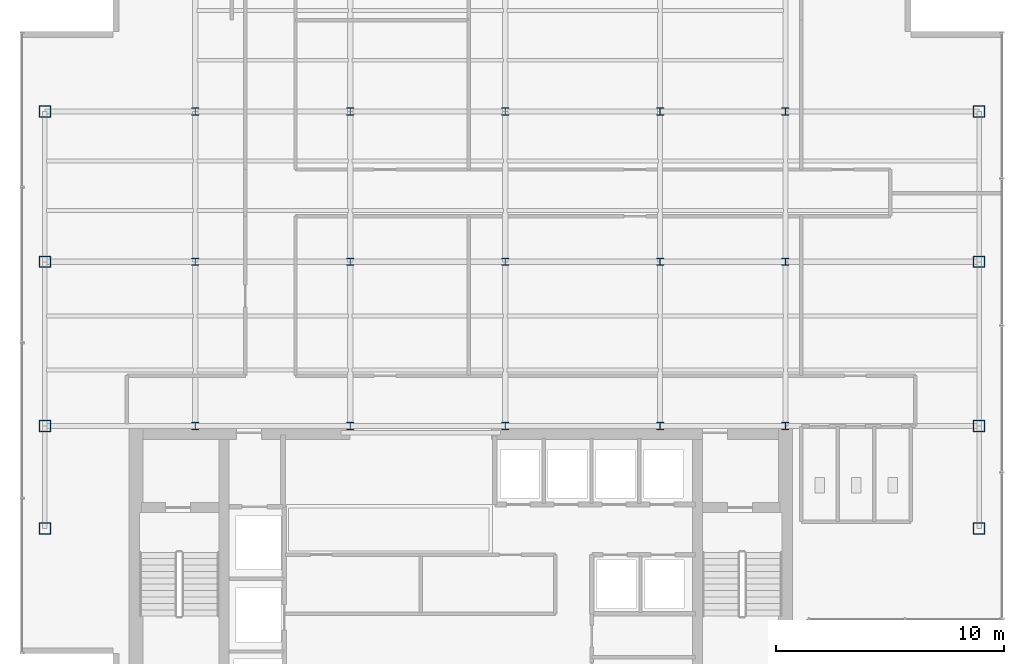
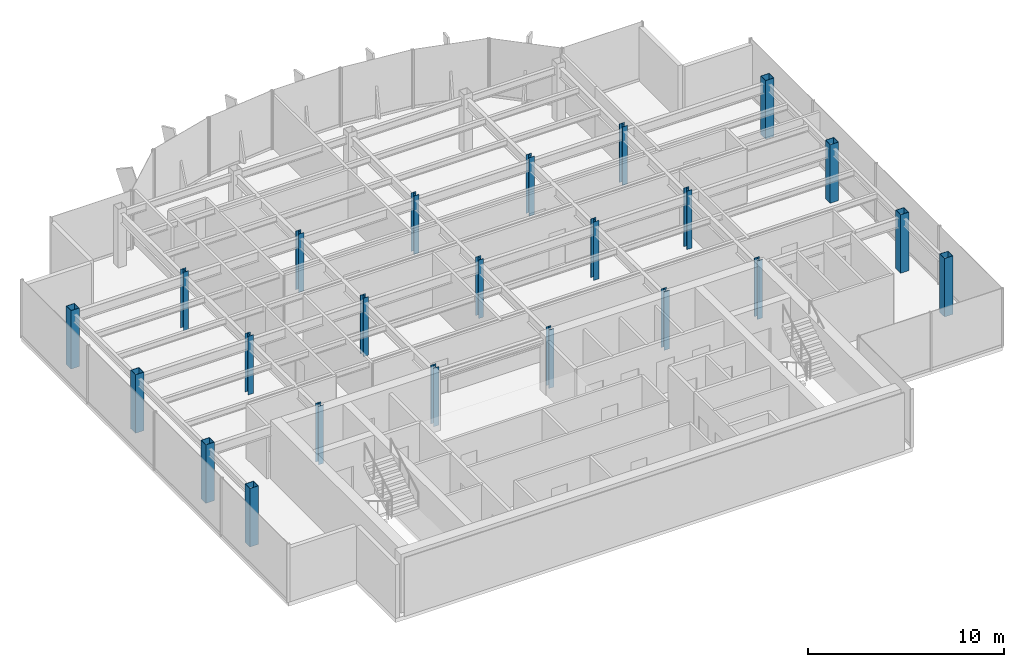
# One storey, part 1 of 22: 23 columns.
"""IFC4 building model written with IfcOpenShell, lengths in metres."""

from ifc_helpers import new_model, si_unit, derived_unit, direction, frame, origin, origin_2d, place, context, subcontext, project, spatial, hollow_rectangle, i_section, extrude, source, transform, mapped, material, material_profile, profile_set, type_object, element, save


model = new_model("IFC4")

# Units and contexts
model_context = context("Model", 3, precision=1e-05, world=origin(), true_north=direction((0.0, 1.0)))
body_context = subcontext(model_context, "Body", "Model", "MODEL_VIEW")
ifc_project = project(units=[si_unit("LENGTHUNIT", "METRE"), si_unit("AREAUNIT", "SQUARE_METRE"), si_unit("VOLUMEUNIT", "CUBIC_METRE"), si_unit("PLANEANGLEUNIT", "RADIAN"), si_unit("MASSUNIT", "GRAM", prefix="KILO"), derived_unit("THERMALTRANSMITTANCEUNIT", [(si_unit("POWERUNIT", "WATT"), 1), (si_unit("LENGTHUNIT", "METRE"), -2), (si_unit("THERMODYNAMICTEMPERATUREUNIT", "KELVIN"), -1)])], contexts=[model_context])

# Site, building, storey
site_placement = place(None, origin())
site = spatial("IfcSite", under=ifc_project, at=site_placement, CompositionType="ELEMENT")
building_placement = place(site_placement, origin())
building = spatial("IfcBuilding", under=site, at=building_placement, Name="Skarnbrae Concourse Arena and Tower", CompositionType="ELEMENT")
storey_placement = place(building_placement, frame((0.0, 0.0, 232.39990234375)))
storey = spatial("IfcBuildingStorey", under=building, at=storey_placement, Name="L60", CompositionType="ELEMENT", Elevation=232.39990234375)

# Columns
ifc_material = material(Name="Steel CSA G40.21 350W", Category="steel")
ifc_material_profile_1 = material_profile(ifc_material, hollow_rectangle(XDim=0.5, YDim=0.5, WallThickness=0.02197265625, at=origin_2d()), Name="HSS500X500X22.0")
ifc_profile_set_1 = profile_set([ifc_material_profile_1], Name="Steel CSA G40.21 350W")
column_type_1 = type_object("IfcColumnType", Name="COL-TUBE-HSS500", PredefinedType="COLUMN", material=ifc_profile_set_1)
shared_shape_1 = source(origin(), body_context, "Body", "SweptSolid", [
    extrude(hollow_rectangle(XDim=0.5, YDim=0.5, WallThickness=0.02197265625, at=origin_2d()), origin(), (0.0, 0.0, 1.0), 3.650146484375),
])
for number, where, z_axis, x_axis, name in (
    (1, (1.0, 9.5, 0.0), (0.0, 0.0, 1.0), (1.0, 0.0, 0.0), "L60 Tower column PC_01_01"),
    (2, (1.0, 14.0, 0.0), (0.0, 0.0, 1.0), (1.0, 0.0, 0.0), "L60 Tower column PC_01_02"),
    (3, (1.0, 21.199951171875, 0.0), (0.0, 0.0, 1.0), (1.0, 0.0, 0.0), "L60 Tower column PC_01_03"),
    (4, (1.0, 27.800048828125, 0.0), (0.0, 0.0, 1.0), (1.0, 0.0, 0.0), "L60 Tower column PC_01_04"),
    (5, (42.0, 9.5, 0.0), (0.0, 0.0, 1.0), (1.0, 0.0, 0.0), "L60 Tower column PC_07_01"),
    (6, (42.0, 14.0, 0.0), (0.0, 0.0, 1.0), (1.0, 0.0, 0.0), "L60 Tower column PC_07_02"),
    (7, (42.0, 21.199951171875, 0.0), (0.0, 0.0, 1.0), (1.0, 0.0, 0.0), "L60 Tower column PC_07_03"),
    (8, (42.0, 27.800048828125, 0.0), (0.0, 0.0, 1.0), (1.0, 0.0, 0.0), "L60 Tower column PC_07_04"),
):
    element("IfcColumn", number, at=place(storey_placement, frame(where, z_axis=z_axis, x_axis=x_axis)), inside=storey, type_object=column_type_1, Name=name, PredefinedType="COLUMN", context=body_context, shape_type="MappedRepresentation", body=[
        mapped(shared_shape_1, transform((0.0, 0.0, 0.0))),
    ])
ifc_material_profile_2 = material_profile(ifc_material, i_section(OverallWidth=0.30908203125, OverallDepth=0.322998046875, WebThickness=0.013916015625, FlangeThickness=0.02294921875, at=origin_2d()), Name="W310X143")
ifc_profile_set_2 = profile_set([ifc_material_profile_2], Name="Steel CSA G40.21 350W")
column_type_2 = type_object("IfcColumnType", Name="COL-INT-W310X143", PredefinedType="COLUMN", material=ifc_profile_set_2)
shared_shape_2 = source(origin(), body_context, "Body", "SweptSolid", [
    extrude(i_section(OverallWidth=0.30908203125, OverallDepth=0.322998046875, WebThickness=0.013916015625, FlangeThickness=0.02294921875, at=origin_2d()), origin(), (0.0, 0.0, 1.0), 3.650146484375),
])
for number, where, z_axis, x_axis, name in (
    (9, (7.60009765625, 14.0, 0.0), (0.0, 0.0, 1.0), (1.0, 0.0, 0.0), "L60 Tower column IC_02_02"),
    (10, (7.60009765625, 21.199951171875, 0.0), (0.0, 0.0, 1.0), (1.0, 0.0, 0.0), "L60 Tower column IC_02_03"),
    (11, (7.60009765625, 27.800048828125, 0.0), (0.0, 0.0, 1.0), (1.0, 0.0, 0.0), "L60 Tower column IC_02_04"),
    (12, (14.39990234375, 14.0, 0.0), (0.0, 0.0, 1.0), (1.0, 0.0, 0.0), "L60 Tower column IC_03_02"),
    (13, (14.39990234375, 21.199951171875, 0.0), (0.0, 0.0, 1.0), (1.0, 0.0, 0.0), "L60 Tower column IC_03_03"),
    (14, (14.39990234375, 27.800048828125, 0.0), (0.0, 0.0, 1.0), (1.0, 0.0, 0.0), "L60 Tower column IC_03_04"),
    (15, (21.199951171875, 14.0, 0.0), (0.0, 0.0, 1.0), (1.0, 0.0, 0.0), "L60 Tower column IC_04_02"),
    (16, (21.199951171875, 21.199951171875, 0.0), (0.0, 0.0, 1.0), (1.0, 0.0, 0.0), "L60 Tower column IC_04_03"),
    (17, (21.199951171875, 27.800048828125, 0.0), (0.0, 0.0, 1.0), (1.0, 0.0, 0.0), "L60 Tower column IC_04_04"),
    (18, (28.0, 14.0, 0.0), (0.0, 0.0, 1.0), (1.0, 0.0, 0.0), "L60 Tower column IC_05_02"),
    (19, (28.0, 21.199951171875, 0.0), (0.0, 0.0, 1.0), (1.0, 0.0, 0.0), "L60 Tower column IC_05_03"),
    (20, (28.0, 27.800048828125, 0.0), (0.0, 0.0, 1.0), (1.0, 0.0, 0.0), "L60 Tower column IC_05_04"),
    (21, (33.5, 14.0, 0.0), (0.0, 0.0, 1.0), (1.0, 0.0, 0.0), "L60 Tower column IC_06_02"),
    (22, (33.5, 21.199951171875, 0.0), (0.0, 0.0, 1.0), (1.0, 0.0, 0.0), "L60 Tower column IC_06_03"),
    (23, (33.5, 27.800048828125, 0.0), (0.0, 0.0, 1.0), (1.0, 0.0, 0.0), "L60 Tower column IC_06_04"),
):
    element("IfcColumn", number, at=place(storey_placement, frame(where, z_axis=z_axis, x_axis=x_axis)), inside=storey, type_object=column_type_2, Name=name, PredefinedType="COLUMN", context=body_context, shape_type="MappedRepresentation", body=[
        mapped(shared_shape_2, transform((0.0, 0.0, 0.0))),
    ])

save(model, "model.ifc")
